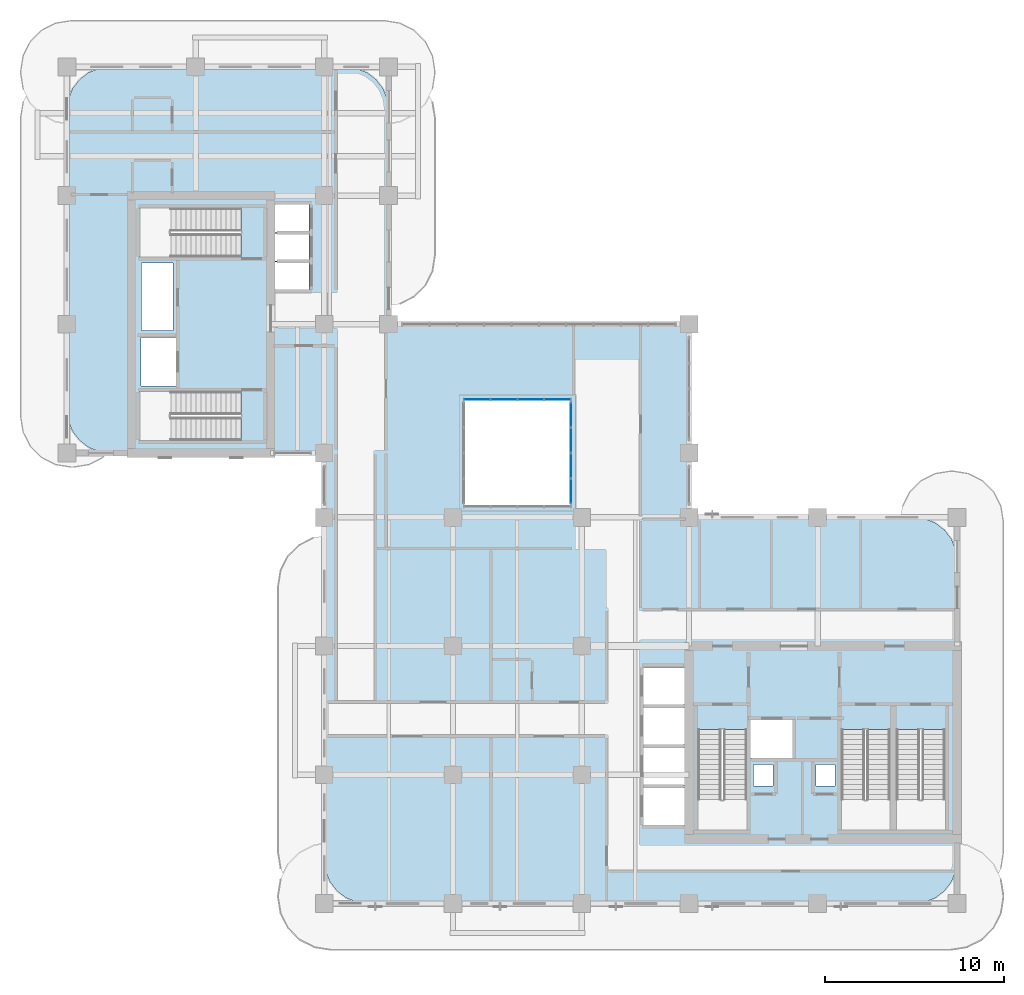
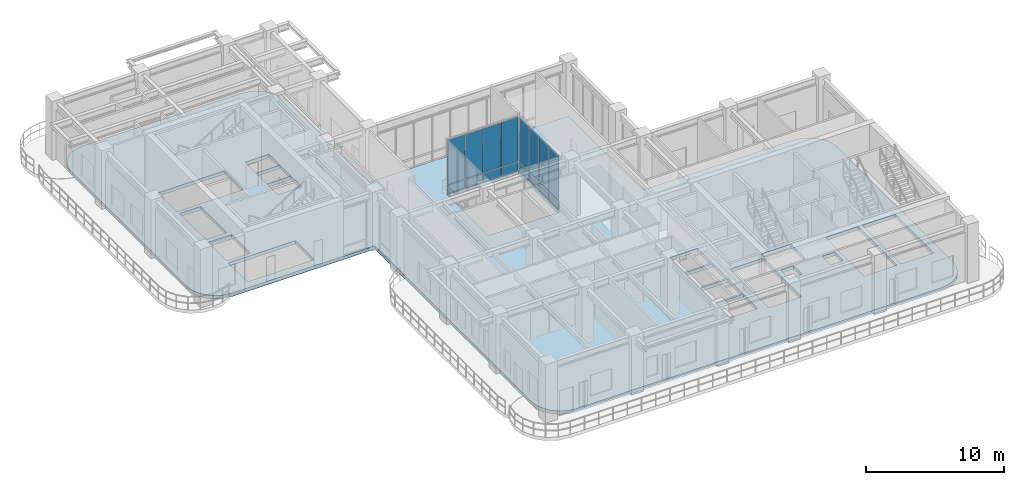
# One storey, part 8 of 21: 16 plates, 1 slab, 2 elements without a shape of their own.
"""IFC4 building model written with IfcOpenShell, lengths in metres."""

from ifc_helpers import new_model, si_unit, derived_unit, direction, frame, origin, origin_2d, place, context, subcontext, project, spatial, polyline, rectangle, outline, extrude, source, transform, mapped, material, layer, layer_set, type_object, element, aggregate, save


model = new_model("IFC4")

# Units and contexts
model_context = context("Model", 3, precision=1e-05, world=origin(), true_north=direction((0.0, 1.0)))
body_context = subcontext(model_context, "Body", "Model", "MODEL_VIEW")
ifc_project = project(units=[si_unit("LENGTHUNIT", "METRE"), si_unit("AREAUNIT", "SQUARE_METRE"), si_unit("VOLUMEUNIT", "CUBIC_METRE"), si_unit("PLANEANGLEUNIT", "RADIAN"), si_unit("MASSUNIT", "GRAM", prefix="KILO"), si_unit("THERMODYNAMICTEMPERATUREUNIT", "KELVIN"), si_unit("POWERUNIT", "WATT"), derived_unit("THERMALTRANSMITTANCEUNIT", [(si_unit("POWERUNIT", "WATT"), 1), (si_unit("AREAUNIT", "SQUARE_METRE"), -1), (si_unit("THERMODYNAMICTEMPERATUREUNIT", "KELVIN"), -1)])], contexts=[model_context])

# Site, building, storey
site_placement = place(None, origin())
site = spatial("IfcSite", under=ifc_project, at=site_placement, CompositionType="ELEMENT")
building_placement = place(site_placement, origin())
building = spatial("IfcBuilding", under=site, at=building_placement, Name="Zahravan Archway Hotel and Residences", CompositionType="ELEMENT")
storey_placement = place(building_placement, frame((0.0, 0.0, 145.10009765625)))
storey = spatial("IfcBuildingStorey", under=building, at=storey_placement, Name="L36", CompositionType="ELEMENT", Elevation=145.10009765625)

# Slab
ifc_material_1 = material(Name="Concrete C50/60", Category="concrete")
ifc_layer_1 = layer(ifc_material_1, 0.300048828125, Name="Concrete C50/60", Category="concrete")
ifc_layer_set_1 = layer_set([ifc_layer_1], Name="Concrete C50/60")
slab_type = type_object("IfcSlabType", Name="SLB-FLR-300", PredefinedType="FLOOR", material=ifc_layer_set_1)
slab_placement = place(storey_placement, frame((0.0, 0.0, -0.300048828125)))
element("IfcSlab", 1, at=slab_placement, inside=storey, type_object=slab_type, Name="L36 Floor Slab LB", PredefinedType="FLOOR", context=body_context, shape_type="SweptSolid", body=[
    extrude(outline(polyline([(34.800048828125, 21.60009765625), (34.800048828125, 32.39990234375), (18.0, 32.39990234375), (18.0, 44.39990234375), (17.918212890625, 45.021240234375), (17.678466796875, 45.60009765625), (17.297119140625, 46.09716796875), (16.800048828125, 46.478515625), (16.22119140625, 46.71826171875), (15.60009765625, 46.800048828125), (2.39990234375, 46.800048828125), (1.77880859375, 46.71826171875), (1.199951171875, 46.478515625), (0.702880859375, 46.09716796875), (0.321533203125, 45.60009765625), (0.081787109375, 45.021240234375), (0.0, 44.39990234375), (0.0, 27.60009765625), (0.081787109375, 26.978759765625), (0.321533203125, 26.39990234375), (0.702880859375, 25.90283203125), (1.199951171875, 25.521484375), (1.77880859375, 25.28173828125), (2.39990234375, 25.199951171875), (14.39990234375, 25.199951171875), (14.39990234375, 19.199951171875), (14.39990234375, 19.10009765625), (14.39990234375, 2.39990234375), (14.481689453125, 1.77880859375), (14.721435546875, 1.199951171875), (15.102783203125, 0.702880859375), (15.60009765625, 0.321533203125), (16.1787109375, 0.081787109375), (16.800048828125, 0.0), (47.39990234375, 0.0), (48.021240234375, 0.081787109375), (48.60009765625, 0.321533203125), (49.09716796875, 0.702880859375), (49.478515625, 1.199951171875), (49.71826171875, 1.77880859375), (49.800048828125, 2.39990234375), (49.800048828125, 19.199951171875), (49.71826171875, 19.8212890625), (49.478515625, 20.39990234375), (49.09716796875, 20.897216796875), (48.60009765625, 21.278564453125), (48.021240234375, 21.518310546875), (47.39990234375, 21.60009765625), (34.800048828125, 21.60009765625)]), holes=[polyline([(35.300048828125, 9.72998046875), (35.300048828125, 4.10009765625), (38.0400390625, 4.10009765625), (38.0400390625, 9.72998046875), (35.300048828125, 9.72998046875)]), polyline([(43.320068359375, 9.72998046875), (43.320068359375, 4.10009765625), (46.06005859375, 4.10009765625), (46.06005859375, 9.72998046875), (43.320068359375, 9.72998046875)]), polyline([(46.39990234375, 9.72998046875), (46.39990234375, 4.10009765625), (49.139892578125, 4.10009765625), (49.139892578125, 9.72998046875), (46.39990234375, 9.72998046875)]), polyline([(9.72998046875, 28.639892578125), (4.10009765625, 28.639892578125), (4.10009765625, 25.89990234375), (9.72998046875, 25.89990234375), (9.72998046875, 28.639892578125)]), polyline([(9.72998046875, 38.89990234375), (4.10009765625, 38.89990234375), (4.10009765625, 36.159912109375), (9.72998046875, 36.159912109375), (9.72998046875, 38.89990234375)]), polyline([(38.179931640625, 8.14990234375), (40.699951171875, 8.14990234375), (40.699951171875, 10.25), (38.179931640625, 10.25), (38.179931640625, 8.14990234375)]), polyline([(4.14990234375, 28.949951171875), (6.10009765625, 28.949951171875), (6.10009765625, 31.64990234375), (4.14990234375, 31.64990234375), (4.14990234375, 28.949951171875)]), polyline([(11.550048828125, 34.35009765625), (13.550048828125, 34.35009765625), (13.550048828125, 35.889892578125), (11.550048828125, 35.889892578125), (11.550048828125, 34.35009765625)]), polyline([(11.550048828125, 35.949951171875), (13.550048828125, 35.949951171875), (13.550048828125, 37.489990234375), (11.550048828125, 37.489990234375), (11.550048828125, 35.949951171875)]), polyline([(11.550048828125, 37.550048828125), (13.550048828125, 37.550048828125), (13.550048828125, 39.090087890625), (11.550048828125, 39.090087890625), (11.550048828125, 37.550048828125)]), polyline([(32.25, 4.39990234375), (34.550048828125, 4.39990234375), (34.550048828125, 6.47998046875), (32.25, 6.47998046875), (32.25, 4.39990234375)]), polyline([(32.25, 6.639892578125), (34.550048828125, 6.639892578125), (34.550048828125, 8.719970703125), (32.25, 8.719970703125), (32.25, 6.639892578125)]), polyline([(32.25, 8.8798828125), (34.550048828125, 8.8798828125), (34.550048828125, 10.9599609375), (32.25, 10.9599609375), (32.25, 8.8798828125)]), polyline([(32.25, 11.1201171875), (34.550048828125, 11.1201171875), (34.550048828125, 13.199951171875), (32.25, 13.199951171875), (32.25, 11.1201171875)]), polyline([(22.199951171875, 22.199951171875), (28.199951171875, 22.199951171875), (28.199951171875, 28.199951171875), (22.199951171875, 28.199951171875), (22.199951171875, 22.199951171875)]), polyline([(38.419921875, 6.56005859375), (39.5, 6.56005859375), (39.5, 7.780029296875), (38.419921875, 7.780029296875), (38.419921875, 6.56005859375)]), polyline([(41.89990234375, 6.56005859375), (42.9599609375, 6.56005859375), (42.9599609375, 7.780029296875), (41.89990234375, 7.780029296875), (41.89990234375, 6.56005859375)]), polyline([(4.179931640625, 32.050048828125), (5.93994140625, 32.050048828125), (5.93994140625, 35.840087890625), (4.179931640625, 35.840087890625), (4.179931640625, 32.050048828125)])]), origin(), (0.0, 0.0, 1.0), 0.300048828125),
])

# Curtain wall, plates
ifc_material_2 = material(Name="Bronze-Anodized Unitised Aluminium & Low-E Glass", Category="aluminium")
ifc_layer_2 = layer(ifc_material_2, 0.179931640625, Name="Bronze-Anodized Unitised Aluminium & Low-E Glass", Category="aluminium")
ifc_layer_set_2 = layer_set([ifc_layer_2], Name="Bronze-Anodized Unitised Aluminium & Low-E Glass")
curtain_wall_type = type_object("IfcCurtainWallType", Name="CW-ATR-GLAZ", PredefinedType="NOTDEFINED", material=ifc_layer_set_2)
curtain_wall_1_placement = place(storey_placement, origin())
curtain_wall_1 = element("IfcCurtainWall", 2, at=curtain_wall_1_placement, inside=storey, type_object=curtain_wall_type, Name="L36 Curtain Wall CW-ATR-L36-N-1", PredefinedType="NOTDEFINED")
ifc_material_3 = material(Name="Insulated Terracotta Spandrel Panel", Category="masonry")
ifc_layer_3 = layer(ifc_material_3, 0.0400390625, Name="Insulated Terracotta Spandrel Panel", Category="masonry")
ifc_layer_set_3 = layer_set([ifc_layer_3], Name="Insulated Terracotta Spandrel Panel")
plate_type_1 = type_object("IfcPlateType", Name="CWP-SPN-40", PredefinedType="SHEET", material=ifc_layer_set_3)
shared_shape_1 = source(origin(), body_context, "Body", "SweptSolid", [
    extrude(rectangle(XDim=1.419921875, YDim=0.0400390625, at=origin_2d()), origin(), (0.0, 0.0, 1.0), 0.7099609375),
])
plate_1_placement = place(storey_placement, frame((22.949951171875, 28.199951171875, 0.099853515625), z_axis=(0.0, 0.0, 1.0), x_axis=(1.0, 0.0, 0.0)))
plate_1 = element("IfcPlate", 3, at=plate_1_placement, type_object=plate_type_1, Name="CW-ATR-L36-N-1 Spandrel Panel 0", PredefinedType="SHEET", context=body_context, shape_type="MappedRepresentation", body=[
    mapped(shared_shape_1, transform((0.0, 0.0, 0.0), scale=1.0)),
])
plate_2_placement = place(storey_placement, frame((24.449951171875, 28.199951171875, 0.099853515625), z_axis=(0.0, 0.0, 1.0), x_axis=(1.0, 0.0, 0.0)))
plate_2 = element("IfcPlate", 4, at=plate_2_placement, type_object=plate_type_1, Name="CW-ATR-L36-N-1 Spandrel Panel 1", PredefinedType="SHEET", context=body_context, shape_type="MappedRepresentation", body=[
    mapped(shared_shape_1, transform((0.0, 0.0, 0.0), scale=1.0)),
])
plate_3_placement = place(storey_placement, frame((25.949951171875, 28.199951171875, 0.099853515625), z_axis=(0.0, 0.0, 1.0), x_axis=(1.0, 0.0, 0.0)))
plate_3 = element("IfcPlate", 5, at=plate_3_placement, type_object=plate_type_1, Name="CW-ATR-L36-N-1 Spandrel Panel 2", PredefinedType="SHEET", context=body_context, shape_type="MappedRepresentation", body=[
    mapped(shared_shape_1, transform((0.0, 0.0, 0.0), scale=1.0)),
])
plate_4_placement = place(storey_placement, frame((27.449951171875, 28.199951171875, 0.099853515625), z_axis=(0.0, 0.0, 1.0), x_axis=(1.0, 0.0, 0.0)))
plate_4 = element("IfcPlate", 6, at=plate_4_placement, type_object=plate_type_1, Name="CW-ATR-L36-N-1 Spandrel Panel 3", PredefinedType="SHEET", context=body_context, shape_type="MappedRepresentation", body=[
    mapped(shared_shape_1, transform((0.0, 0.0, 0.0), scale=1.0)),
])
ifc_material_4 = material(Name="Double-Silver Low-E Insulated Vision Glass", Category="glass")
ifc_layer_4 = layer(ifc_material_4, 0.028076171875, Name="Double-Silver Low-E Insulated Vision Glass", Category="glass")
ifc_layer_set_4 = layer_set([ifc_layer_4], Name="Double-Silver Low-E Insulated Vision Glass")
plate_type_2 = type_object("IfcPlateType", Name="CWP-GLZ-28", PredefinedType="CURTAIN_PANEL", material=ifc_layer_set_4)
shared_shape_2 = source(origin(), body_context, "Body", "SweptSolid", [
    extrude(rectangle(XDim=1.419921875, YDim=0.028076171875, at=origin_2d()), origin(), (0.0, 0.0, 1.0), 3.9599609375),
])
plate_5_placement = place(storey_placement, frame((22.949951171875, 28.199951171875, 0.889892578125), z_axis=(0.0, 0.0, 1.0), x_axis=(1.0, 0.0, 0.0)))
plate_5 = element("IfcPlate", 7, at=plate_5_placement, type_object=plate_type_2, Name="CW-ATR-L36-N-1 Low-E Vision Panel 0", PredefinedType="CURTAIN_PANEL", context=body_context, shape_type="MappedRepresentation", body=[
    mapped(shared_shape_2, transform((0.0, 0.0, 0.0), scale=1.0)),
])
plate_6_placement = place(storey_placement, frame((24.449951171875, 28.199951171875, 0.889892578125), z_axis=(0.0, 0.0, 1.0), x_axis=(1.0, 0.0, 0.0)))
plate_6 = element("IfcPlate", 8, at=plate_6_placement, type_object=plate_type_2, Name="CW-ATR-L36-N-1 Low-E Vision Panel 1", PredefinedType="CURTAIN_PANEL", context=body_context, shape_type="MappedRepresentation", body=[
    mapped(shared_shape_2, transform((0.0, 0.0, 0.0), scale=1.0)),
])
plate_7_placement = place(storey_placement, frame((25.949951171875, 28.199951171875, 0.889892578125), z_axis=(0.0, 0.0, 1.0), x_axis=(1.0, 0.0, 0.0)))
plate_7 = element("IfcPlate", 9, at=plate_7_placement, type_object=plate_type_2, Name="CW-ATR-L36-N-1 Low-E Vision Panel 2", PredefinedType="CURTAIN_PANEL", context=body_context, shape_type="MappedRepresentation", body=[
    mapped(shared_shape_2, transform((0.0, 0.0, 0.0), scale=1.0)),
])
plate_8_placement = place(storey_placement, frame((27.449951171875, 28.199951171875, 0.889892578125), z_axis=(0.0, 0.0, 1.0), x_axis=(1.0, 0.0, 0.0)))
plate_8 = element("IfcPlate", 10, at=plate_8_placement, type_object=plate_type_2, Name="CW-ATR-L36-N-1 Low-E Vision Panel 3", PredefinedType="CURTAIN_PANEL", context=body_context, shape_type="MappedRepresentation", body=[
    mapped(shared_shape_2, transform((0.0, 0.0, 0.0), scale=1.0)),
])
aggregate(curtain_wall_1, [plate_1, plate_5, plate_2, plate_6, plate_3, plate_7, plate_4, plate_8])

curtain_wall_2_placement = place(storey_placement, origin())
curtain_wall_2 = element("IfcCurtainWall", 11, at=curtain_wall_2_placement, inside=storey, type_object=curtain_wall_type, Name="L36 Curtain Wall CW-ATR-L36-E-1", PredefinedType="NOTDEFINED")
shared_shape_3 = source(origin(), body_context, "Body", "SweptSolid", [
    extrude(rectangle(XDim=1.344970703125, YDim=0.0400390625, at=origin_2d()), origin(), (0.0, 0.0, 1.0), 0.7099609375),
])
plate_9_placement = place(storey_placement, frame((28.199951171875, 23.0625, 0.099853515625), z_axis=(0.0, 0.0, 1.0), x_axis=(0.0, 1.0, 0.0)))
plate_9 = element("IfcPlate", 12, at=plate_9_placement, type_object=plate_type_1, Name="CW-ATR-L36-E-1 Spandrel Panel 0", PredefinedType="SHEET", context=body_context, shape_type="MappedRepresentation", body=[
    mapped(shared_shape_3, transform((0.0, 0.0, 0.0), scale=1.0)),
])
plate_10_placement = place(storey_placement, frame((28.199951171875, 24.487548828125, 0.099853515625), z_axis=(0.0, 0.0, 1.0), x_axis=(0.0, 1.0, 0.0)))
plate_10 = element("IfcPlate", 13, at=plate_10_placement, type_object=plate_type_1, Name="CW-ATR-L36-E-1 Spandrel Panel 1", PredefinedType="SHEET", context=body_context, shape_type="MappedRepresentation", body=[
    mapped(shared_shape_3, transform((0.0, 0.0, 0.0), scale=1.0)),
])
plate_11_placement = place(storey_placement, frame((28.199951171875, 25.91259765625, 0.099853515625), z_axis=(0.0, 0.0, 1.0), x_axis=(0.0, 1.0, 0.0)))
plate_11 = element("IfcPlate", 14, at=plate_11_placement, type_object=plate_type_1, Name="CW-ATR-L36-E-1 Spandrel Panel 2", PredefinedType="SHEET", context=body_context, shape_type="MappedRepresentation", body=[
    mapped(shared_shape_3, transform((0.0, 0.0, 0.0), scale=1.0)),
])
plate_12_placement = place(storey_placement, frame((28.199951171875, 27.33740234375, 0.099853515625), z_axis=(0.0, 0.0, 1.0), x_axis=(0.0, 1.0, 0.0)))
plate_12 = element("IfcPlate", 15, at=plate_12_placement, type_object=plate_type_1, Name="CW-ATR-L36-E-1 Spandrel Panel 3", PredefinedType="SHEET", context=body_context, shape_type="MappedRepresentation", body=[
    mapped(shared_shape_3, transform((0.0, 0.0, 0.0), scale=1.0)),
])
shared_shape_4 = source(origin(), body_context, "Body", "SweptSolid", [
    extrude(rectangle(XDim=1.344970703125, YDim=0.028076171875, at=origin_2d()), origin(), (0.0, 0.0, 1.0), 3.9599609375),
])
plate_13_placement = place(storey_placement, frame((28.199951171875, 23.0625, 0.889892578125), z_axis=(0.0, 0.0, 1.0), x_axis=(0.0, 1.0, 0.0)))
plate_13 = element("IfcPlate", 16, at=plate_13_placement, type_object=plate_type_2, Name="CW-ATR-L36-E-1 Low-E Vision Panel 0", PredefinedType="CURTAIN_PANEL", context=body_context, shape_type="MappedRepresentation", body=[
    mapped(shared_shape_4, transform((0.0, 0.0, 0.0), scale=1.0)),
])
plate_14_placement = place(storey_placement, frame((28.199951171875, 24.487548828125, 0.889892578125), z_axis=(0.0, 0.0, 1.0), x_axis=(0.0, 1.0, 0.0)))
plate_14 = element("IfcPlate", 17, at=plate_14_placement, type_object=plate_type_2, Name="CW-ATR-L36-E-1 Low-E Vision Panel 1", PredefinedType="CURTAIN_PANEL", context=body_context, shape_type="MappedRepresentation", body=[
    mapped(shared_shape_4, transform((0.0, 0.0, 0.0), scale=1.0)),
])
plate_15_placement = place(storey_placement, frame((28.199951171875, 25.91259765625, 0.889892578125), z_axis=(0.0, 0.0, 1.0), x_axis=(0.0, 1.0, 0.0)))
plate_15 = element("IfcPlate", 18, at=plate_15_placement, type_object=plate_type_2, Name="CW-ATR-L36-E-1 Low-E Vision Panel 2", PredefinedType="CURTAIN_PANEL", context=body_context, shape_type="MappedRepresentation", body=[
    mapped(shared_shape_4, transform((0.0, 0.0, 0.0), scale=1.0)),
])
plate_16_placement = place(storey_placement, frame((28.199951171875, 27.33740234375, 0.889892578125), z_axis=(0.0, 0.0, 1.0), x_axis=(0.0, 1.0, 0.0)))
plate_16 = element("IfcPlate", 19, at=plate_16_placement, type_object=plate_type_2, Name="CW-ATR-L36-E-1 Low-E Vision Panel 3", PredefinedType="CURTAIN_PANEL", context=body_context, shape_type="MappedRepresentation", body=[
    mapped(shared_shape_4, transform((0.0, 0.0, 0.0), scale=1.0)),
])
aggregate(curtain_wall_2, [plate_9, plate_13, plate_10, plate_14, plate_11, plate_15, plate_12, plate_16])

save(model, "model.ifc")
